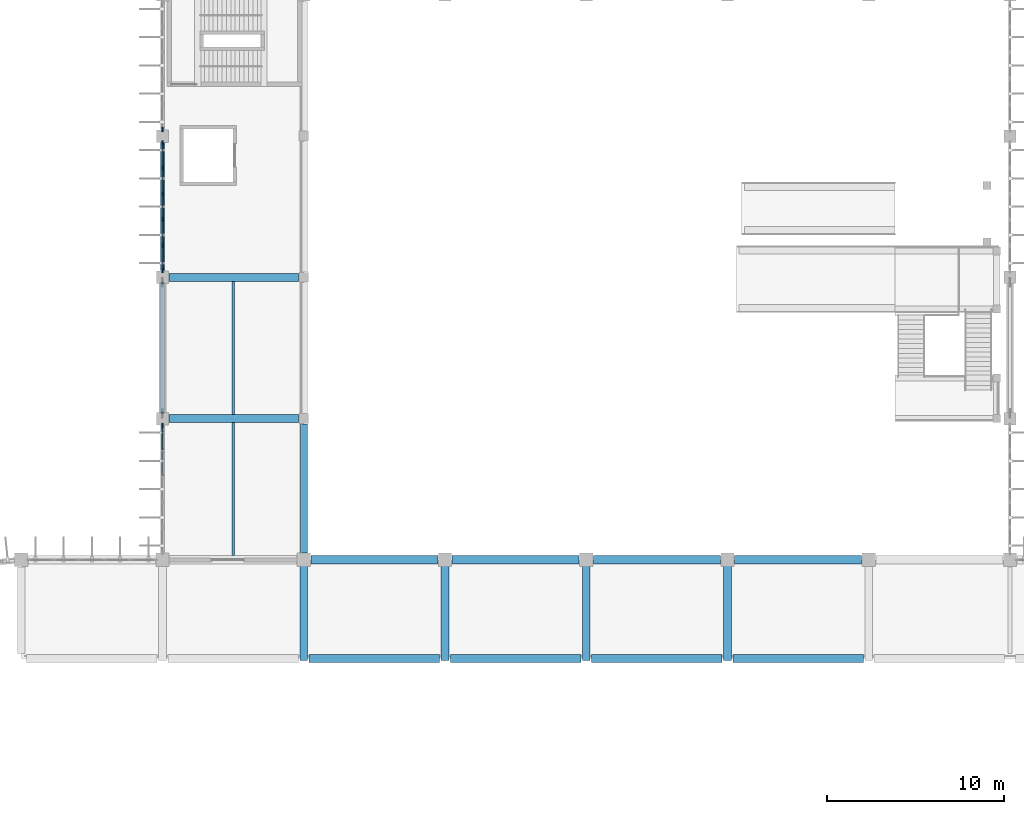
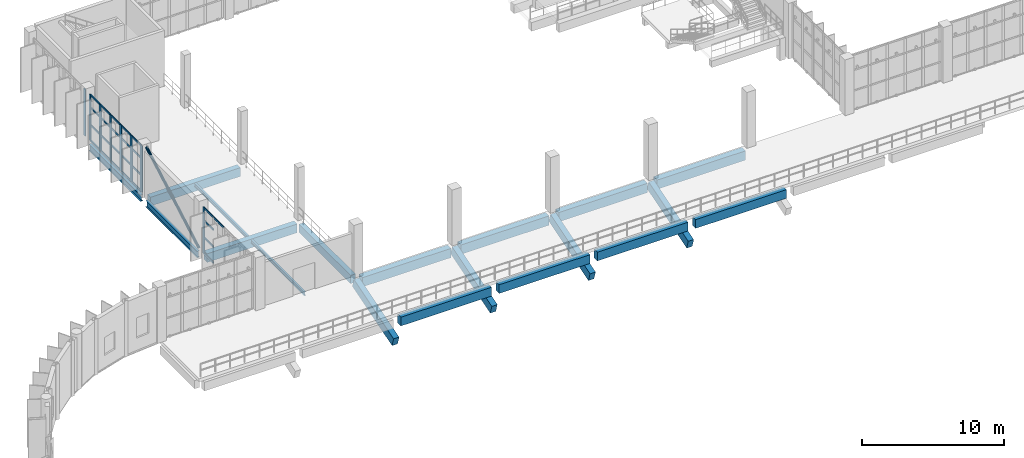
# One storey, part 25 of 93: 34 members, 19 beams, 3 elements without a shape of their own.
"""IFC4 building model written with IfcOpenShell, lengths in metres."""

from ifc_helpers import new_model, si_unit, direction, frame, origin, origin_2d, place, context, subcontext, project, spatial, rectangle, hollow_circle, i_section, extrude, material, layer, layer_set, material_profile, profile_set, type_object, element, aggregate, save


model = new_model("IFC4")

# Units and contexts
model_context = context("Model", 3, precision=1e-05, world=origin(), true_north=direction((0.0, 1.0)))
body_context = subcontext(model_context, "Body", "Model", "MODEL_VIEW")
ifc_project = project(units=[si_unit("LENGTHUNIT", "METRE"), si_unit("AREAUNIT", "SQUARE_METRE"), si_unit("VOLUMEUNIT", "CUBIC_METRE"), si_unit("PLANEANGLEUNIT", "RADIAN"), si_unit("MASSUNIT", "GRAM", prefix="KILO")], contexts=[model_context])

# Site, building, storey
site_placement = place(None, origin())
site = spatial("IfcSite", under=ifc_project, at=site_placement, CompositionType="ELEMENT")
building_placement = place(site_placement, origin())
building = spatial("IfcBuilding", under=site, at=building_placement, Name="Drelvana Railside Aquatics Centre", CompositionType="ELEMENT")
storey_placement = place(building_placement, frame((0.0, 0.0, 5.39990234375)))
storey = spatial("IfcBuildingStorey", under=building, at=storey_placement, Name="L01", CompositionType="ELEMENT", Elevation=5.39990234375)

# Curtain wall, member
ifc_material_1 = material(Name="Bronze-anodised aluminium curtain wall", Category="aluminium")
ifc_layer = layer(ifc_material_1, 0.2099609375, Name="Bronze-anodised aluminium curtain wall")
ifc_layer_set = layer_set([ifc_layer], Name="Bronze-anodised aluminium curtain wall")
curtain_wall_type = type_object("IfcCurtainWallType", Name="CW-Z7-DIVE", PredefinedType="NOTDEFINED", material=ifc_layer_set)
curtain_wall_1_placement = place(storey_placement, origin())
curtain_wall_1 = element("IfcCurtainWall", 1, at=curtain_wall_1_placement, inside=storey, type_object=curtain_wall_type, Name="Curtain wall CW-07-082", PredefinedType="NOTDEFINED")
ifc_material_2 = material(Name="Bronze-anodised aluminium 6063-T6", Category="aluminium")
ifc_material_profile_1 = material_profile(ifc_material_2, rectangle(XDim=0.080078125, YDim=0.25, at=origin_2d()), Name="ALU-M 80x250")
ifc_profile_set_1 = profile_set([ifc_material_profile_1], Name="Bronze-anodised aluminium 6063-T6")
member_type_1 = type_object("IfcMemberType", Name="CW-Z7-DIVE-MUL", PredefinedType="MULLION", material=ifc_profile_set_1)
member_1_placement = place(storey_placement, frame((24.0, 91.615966796875, -0.005859375), z_axis=(0.0, 0.0, 1.0), x_axis=(-1.0, 0.0, 0.0)))
member_1 = element("IfcMember", 2, at=member_1_placement, type_object=member_type_1, Name="CW-07 mullion 6", PredefinedType="MULLION", context=body_context, shape_type="SweptSolid", body=[
    extrude(rectangle(XDim=0.080078125, YDim=0.25, at=origin_2d()), origin(), (0.0, 0.0, 1.0), 3.98583984375),
])

# Curtain wall, members
curtain_wall_2_placement = place(storey_placement, origin())
curtain_wall_2 = element("IfcCurtainWall", 3, at=curtain_wall_2_placement, inside=storey, type_object=curtain_wall_type, Name="Curtain wall CW-07-085", PredefinedType="NOTDEFINED")
member_2_placement = place(storey_placement, frame((24.0, 100.384033203125, -0.005859375), z_axis=(0.0, 0.0, 1.0), x_axis=(-1.0, 0.0, 0.0)))
member_2 = element("IfcMember", 4, at=member_2_placement, type_object=member_type_1, Name="CW-07 mullion 1", PredefinedType="MULLION", context=body_context, shape_type="SweptSolid", body=[
    extrude(rectangle(XDim=0.080078125, YDim=0.25, at=origin_2d()), origin(), (0.0, 0.0, 1.0), 3.98583984375),
])
member_3_placement = place(storey_placement, frame((24.0, 101.806396484375, -0.005859375), z_axis=(0.0, 0.0, 1.0), x_axis=(-1.0, 0.0, 0.0)))
member_3 = element("IfcMember", 5, at=member_3_placement, type_object=member_type_1, Name="CW-07 mullion 2", PredefinedType="MULLION", context=body_context, shape_type="SweptSolid", body=[
    extrude(rectangle(XDim=0.080078125, YDim=0.25, at=origin_2d()), origin(), (0.0, 0.0, 1.0), 3.98583984375),
])
member_4_placement = place(storey_placement, frame((24.0, 103.268798828125, -0.005859375), z_axis=(0.0, 0.0, 1.0), x_axis=(-1.0, 0.0, 0.0)))
member_4 = element("IfcMember", 6, at=member_4_placement, type_object=member_type_1, Name="CW-07 mullion 3", PredefinedType="MULLION", context=body_context, shape_type="SweptSolid", body=[
    extrude(rectangle(XDim=0.080078125, YDim=0.25, at=origin_2d()), origin(), (0.0, 0.0, 1.0), 3.98583984375),
])
member_5_placement = place(storey_placement, frame((24.0, 104.731201171875, -0.005859375), z_axis=(0.0, 0.0, 1.0), x_axis=(-1.0, 0.0, 0.0)))
member_5 = element("IfcMember", 7, at=member_5_placement, type_object=member_type_1, Name="CW-07 mullion 4", PredefinedType="MULLION", context=body_context, shape_type="SweptSolid", body=[
    extrude(rectangle(XDim=0.080078125, YDim=0.25, at=origin_2d()), origin(), (0.0, 0.0, 1.0), 3.98583984375),
])
member_6_placement = place(storey_placement, frame((24.0, 106.193603515625, -0.005859375), z_axis=(0.0, 0.0, 1.0), x_axis=(-1.0, 0.0, 0.0)))
member_6 = element("IfcMember", 8, at=member_6_placement, type_object=member_type_1, Name="CW-07 mullion 5", PredefinedType="MULLION", context=body_context, shape_type="SweptSolid", body=[
    extrude(rectangle(XDim=0.080078125, YDim=0.25, at=origin_2d()), origin(), (0.0, 0.0, 1.0), 3.98583984375),
])
member_7_placement = place(storey_placement, frame((24.0, 107.615966796875, -0.005859375), z_axis=(0.0, 0.0, 1.0), x_axis=(-1.0, 0.0, 0.0)))
member_7 = element("IfcMember", 9, at=member_7_placement, type_object=member_type_1, Name="CW-07 mullion 6", PredefinedType="MULLION", context=body_context, shape_type="SweptSolid", body=[
    extrude(rectangle(XDim=0.080078125, YDim=0.25, at=origin_2d()), origin(), (0.0, 0.0, 1.0), 3.98583984375),
])

# Curtain wall, member
curtain_wall_3_placement = place(storey_placement, origin())
curtain_wall_3 = element("IfcCurtainWall", 10, at=curtain_wall_3_placement, inside=storey, type_object=curtain_wall_type, Name="Curtain wall CW-07-088", PredefinedType="NOTDEFINED")
member_8_placement = place(storey_placement, frame((24.0, 108.384033203125, -0.005859375), z_axis=(0.0, 0.0, 1.0), x_axis=(-1.0, 0.0, 0.0)))
member_8 = element("IfcMember", 11, at=member_8_placement, type_object=member_type_1, Name="CW-07 mullion 1", PredefinedType="MULLION", context=body_context, shape_type="SweptSolid", body=[
    extrude(rectangle(XDim=0.080078125, YDim=0.25, at=origin_2d()), origin(), (0.0, 0.0, 1.0), 3.98583984375),
])
aggregate(curtain_wall_3, [member_8])

# Member
ifc_material_profile_2 = material_profile(ifc_material_2, rectangle(XDim=0.159912109375, YDim=0.070068359375, at=origin_2d()), Name="ALU-T 70x160")
ifc_profile_set_2 = profile_set([ifc_material_profile_2], Name="Bronze-anodised aluminium 6063-T6")
member_type_2 = type_object("IfcMemberType", Name="CW-Z7-DIVE-TRN", PredefinedType="USERDEFINED", material=ifc_profile_set_2)
member_9_placement = place(storey_placement, frame((24.0, 88.776123046875, 3.945068359375), z_axis=(0.0, 1.0, 0.0), x_axis=(0.0, 0.0, 1.0)))
member_9 = element("IfcMember", 12, at=member_9_placement, type_object=member_type_2, Name="CW-07 transom 4.4", ObjectType="TRANSOM", PredefinedType="USERDEFINED", context=body_context, shape_type="SweptSolid", body=[
    extrude(rectangle(XDim=0.159912109375, YDim=0.070068359375, at=origin_2d()), origin(), (0.0, 0.0, 1.0), 1.387451171875),
])

member_10_placement = place(storey_placement, frame((24.0, 90.233642578125, 0.029052734375), z_axis=(0.0, 1.0, 0.0), x_axis=(0.0, 0.0, 1.0)))
member_10 = element("IfcMember", 13, at=member_10_placement, type_object=member_type_2, Name="CW-07 transom 5.1", ObjectType="TRANSOM", PredefinedType="USERDEFINED", context=body_context, shape_type="SweptSolid", body=[
    extrude(rectangle(XDim=0.159912109375, YDim=0.070068359375, at=origin_2d()), origin(), (0.0, 0.0, 1.0), 1.347412109375),
])

member_11_placement = place(storey_placement, frame((24.0, 90.233642578125, 1.38916015625), z_axis=(0.0, 1.0, 0.0), x_axis=(0.0, 0.0, 1.0)))
member_11 = element("IfcMember", 14, at=member_11_placement, type_object=member_type_2, Name="CW-07 transom 5.2", ObjectType="TRANSOM", PredefinedType="USERDEFINED", context=body_context, shape_type="SweptSolid", body=[
    extrude(rectangle(XDim=0.159912109375, YDim=0.070068359375, at=origin_2d()), origin(), (0.0, 0.0, 1.0), 1.347412109375),
])

member_12_placement = place(storey_placement, frame((24.0, 90.233642578125, 2.864013671875), z_axis=(0.0, 1.0, 0.0), x_axis=(0.0, 0.0, 1.0)))
member_12 = element("IfcMember", 15, at=member_12_placement, type_object=member_type_2, Name="CW-07 transom 5.3", ObjectType="TRANSOM", PredefinedType="USERDEFINED", context=body_context, shape_type="SweptSolid", body=[
    extrude(rectangle(XDim=0.159912109375, YDim=0.070068359375, at=origin_2d()), origin(), (0.0, 0.0, 1.0), 1.347412109375),
])

member_13_placement = place(storey_placement, frame((24.0, 90.233642578125, 3.945068359375), z_axis=(0.0, 1.0, 0.0), x_axis=(0.0, 0.0, 1.0)))
member_13 = element("IfcMember", 16, at=member_13_placement, type_object=member_type_2, Name="CW-07 transom 5.4", ObjectType="TRANSOM", PredefinedType="USERDEFINED", context=body_context, shape_type="SweptSolid", body=[
    extrude(rectangle(XDim=0.159912109375, YDim=0.070068359375, at=origin_2d()), origin(), (0.0, 0.0, 1.0), 1.347412109375),
])

aggregate(curtain_wall_1, [member_1, member_9, member_10, member_11, member_12, member_13])

member_14_placement = place(storey_placement, frame((24.0, 100.4189453125, 0.029052734375), z_axis=(0.0, 1.0, 0.0), x_axis=(0.0, 0.0, 1.0)))
member_14 = element("IfcMember", 17, at=member_14_placement, type_object=member_type_2, Name="CW-07 transom 1.1", ObjectType="TRANSOM", PredefinedType="USERDEFINED", context=body_context, shape_type="SweptSolid", body=[
    extrude(rectangle(XDim=0.159912109375, YDim=0.070068359375, at=origin_2d()), origin(), (0.0, 0.0, 1.0), 1.3525390625),
])

member_15_placement = place(storey_placement, frame((24.0, 100.4189453125, 1.38916015625), z_axis=(0.0, 1.0, 0.0), x_axis=(0.0, 0.0, 1.0)))
member_15 = element("IfcMember", 18, at=member_15_placement, type_object=member_type_2, Name="CW-07 transom 1.2", ObjectType="TRANSOM", PredefinedType="USERDEFINED", context=body_context, shape_type="SweptSolid", body=[
    extrude(rectangle(XDim=0.159912109375, YDim=0.070068359375, at=origin_2d()), origin(), (0.0, 0.0, 1.0), 1.3525390625),
])

member_16_placement = place(storey_placement, frame((24.0, 100.4189453125, 2.864013671875), z_axis=(0.0, 1.0, 0.0), x_axis=(0.0, 0.0, 1.0)))
member_16 = element("IfcMember", 19, at=member_16_placement, type_object=member_type_2, Name="CW-07 transom 1.3", ObjectType="TRANSOM", PredefinedType="USERDEFINED", context=body_context, shape_type="SweptSolid", body=[
    extrude(rectangle(XDim=0.159912109375, YDim=0.070068359375, at=origin_2d()), origin(), (0.0, 0.0, 1.0), 1.3525390625),
])

member_17_placement = place(storey_placement, frame((24.0, 100.4189453125, 3.945068359375), z_axis=(0.0, 1.0, 0.0), x_axis=(0.0, 0.0, 1.0)))
member_17 = element("IfcMember", 20, at=member_17_placement, type_object=member_type_2, Name="CW-07 transom 1.4", ObjectType="TRANSOM", PredefinedType="USERDEFINED", context=body_context, shape_type="SweptSolid", body=[
    extrude(rectangle(XDim=0.159912109375, YDim=0.070068359375, at=origin_2d()), origin(), (0.0, 0.0, 1.0), 1.3525390625),
])

member_18_placement = place(storey_placement, frame((24.0, 101.84130859375, 0.029052734375), z_axis=(0.0, 1.0, 0.0), x_axis=(0.0, 0.0, 1.0)))
member_18 = element("IfcMember", 21, at=member_18_placement, type_object=member_type_2, Name="CW-07 transom 2.1", ObjectType="TRANSOM", PredefinedType="USERDEFINED", context=body_context, shape_type="SweptSolid", body=[
    extrude(rectangle(XDim=0.159912109375, YDim=0.070068359375, at=origin_2d()), origin(), (0.0, 0.0, 1.0), 1.392578125),
])

member_19_placement = place(storey_placement, frame((24.0, 101.84130859375, 1.38916015625), z_axis=(0.0, 1.0, 0.0), x_axis=(0.0, 0.0, 1.0)))
member_19 = element("IfcMember", 22, at=member_19_placement, type_object=member_type_2, Name="CW-07 transom 2.2", ObjectType="TRANSOM", PredefinedType="USERDEFINED", context=body_context, shape_type="SweptSolid", body=[
    extrude(rectangle(XDim=0.159912109375, YDim=0.070068359375, at=origin_2d()), origin(), (0.0, 0.0, 1.0), 1.392578125),
])

member_20_placement = place(storey_placement, frame((24.0, 101.84130859375, 2.864013671875), z_axis=(0.0, 1.0, 0.0), x_axis=(0.0, 0.0, 1.0)))
member_20 = element("IfcMember", 23, at=member_20_placement, type_object=member_type_2, Name="CW-07 transom 2.3", ObjectType="TRANSOM", PredefinedType="USERDEFINED", context=body_context, shape_type="SweptSolid", body=[
    extrude(rectangle(XDim=0.159912109375, YDim=0.070068359375, at=origin_2d()), origin(), (0.0, 0.0, 1.0), 1.392578125),
])

member_21_placement = place(storey_placement, frame((24.0, 101.84130859375, 3.945068359375), z_axis=(0.0, 1.0, 0.0), x_axis=(0.0, 0.0, 1.0)))
member_21 = element("IfcMember", 24, at=member_21_placement, type_object=member_type_2, Name="CW-07 transom 2.4", ObjectType="TRANSOM", PredefinedType="USERDEFINED", context=body_context, shape_type="SweptSolid", body=[
    extrude(rectangle(XDim=0.159912109375, YDim=0.070068359375, at=origin_2d()), origin(), (0.0, 0.0, 1.0), 1.392578125),
])

member_22_placement = place(storey_placement, frame((24.0, 103.3037109375, 0.029052734375), z_axis=(0.0, 1.0, 0.0), x_axis=(0.0, 0.0, 1.0)))
member_22 = element("IfcMember", 25, at=member_22_placement, type_object=member_type_2, Name="CW-07 transom 3.1", ObjectType="TRANSOM", PredefinedType="USERDEFINED", context=body_context, shape_type="SweptSolid", body=[
    extrude(rectangle(XDim=0.159912109375, YDim=0.070068359375, at=origin_2d()), origin(), (0.0, 0.0, 1.0), 1.392578125),
])

member_23_placement = place(storey_placement, frame((24.0, 103.3037109375, 1.38916015625), z_axis=(0.0, 1.0, 0.0), x_axis=(0.0, 0.0, 1.0)))
member_23 = element("IfcMember", 26, at=member_23_placement, type_object=member_type_2, Name="CW-07 transom 3.2", ObjectType="TRANSOM", PredefinedType="USERDEFINED", context=body_context, shape_type="SweptSolid", body=[
    extrude(rectangle(XDim=0.159912109375, YDim=0.070068359375, at=origin_2d()), origin(), (0.0, 0.0, 1.0), 1.392578125),
])

member_24_placement = place(storey_placement, frame((24.0, 103.3037109375, 2.864013671875), z_axis=(0.0, 1.0, 0.0), x_axis=(0.0, 0.0, 1.0)))
member_24 = element("IfcMember", 27, at=member_24_placement, type_object=member_type_2, Name="CW-07 transom 3.3", ObjectType="TRANSOM", PredefinedType="USERDEFINED", context=body_context, shape_type="SweptSolid", body=[
    extrude(rectangle(XDim=0.159912109375, YDim=0.070068359375, at=origin_2d()), origin(), (0.0, 0.0, 1.0), 1.392578125),
])

member_25_placement = place(storey_placement, frame((24.0, 103.3037109375, 3.945068359375), z_axis=(0.0, 1.0, 0.0), x_axis=(0.0, 0.0, 1.0)))
member_25 = element("IfcMember", 28, at=member_25_placement, type_object=member_type_2, Name="CW-07 transom 3.4", ObjectType="TRANSOM", PredefinedType="USERDEFINED", context=body_context, shape_type="SweptSolid", body=[
    extrude(rectangle(XDim=0.159912109375, YDim=0.070068359375, at=origin_2d()), origin(), (0.0, 0.0, 1.0), 1.392578125),
])

member_26_placement = place(storey_placement, frame((24.0, 104.76611328125, 0.029052734375), z_axis=(0.0, 1.0, 0.0), x_axis=(0.0, 0.0, 1.0)))
member_26 = element("IfcMember", 29, at=member_26_placement, type_object=member_type_2, Name="CW-07 transom 4.1", ObjectType="TRANSOM", PredefinedType="USERDEFINED", context=body_context, shape_type="SweptSolid", body=[
    extrude(rectangle(XDim=0.159912109375, YDim=0.070068359375, at=origin_2d()), origin(), (0.0, 0.0, 1.0), 1.392578125),
])

member_27_placement = place(storey_placement, frame((24.0, 104.76611328125, 1.38916015625), z_axis=(0.0, 1.0, 0.0), x_axis=(0.0, 0.0, 1.0)))
member_27 = element("IfcMember", 30, at=member_27_placement, type_object=member_type_2, Name="CW-07 transom 4.2", ObjectType="TRANSOM", PredefinedType="USERDEFINED", context=body_context, shape_type="SweptSolid", body=[
    extrude(rectangle(XDim=0.159912109375, YDim=0.070068359375, at=origin_2d()), origin(), (0.0, 0.0, 1.0), 1.392578125),
])

member_28_placement = place(storey_placement, frame((24.0, 104.76611328125, 2.864013671875), z_axis=(0.0, 1.0, 0.0), x_axis=(0.0, 0.0, 1.0)))
member_28 = element("IfcMember", 31, at=member_28_placement, type_object=member_type_2, Name="CW-07 transom 4.3", ObjectType="TRANSOM", PredefinedType="USERDEFINED", context=body_context, shape_type="SweptSolid", body=[
    extrude(rectangle(XDim=0.159912109375, YDim=0.070068359375, at=origin_2d()), origin(), (0.0, 0.0, 1.0), 1.392578125),
])

member_29_placement = place(storey_placement, frame((24.0, 104.76611328125, 3.945068359375), z_axis=(0.0, 1.0, 0.0), x_axis=(0.0, 0.0, 1.0)))
member_29 = element("IfcMember", 32, at=member_29_placement, type_object=member_type_2, Name="CW-07 transom 4.4", ObjectType="TRANSOM", PredefinedType="USERDEFINED", context=body_context, shape_type="SweptSolid", body=[
    extrude(rectangle(XDim=0.159912109375, YDim=0.070068359375, at=origin_2d()), origin(), (0.0, 0.0, 1.0), 1.392578125),
])

member_30_placement = place(storey_placement, frame((24.0, 106.228515625, 0.029052734375), z_axis=(0.0, 1.0, 0.0), x_axis=(0.0, 0.0, 1.0)))
member_30 = element("IfcMember", 33, at=member_30_placement, type_object=member_type_2, Name="CW-07 transom 5.1", ObjectType="TRANSOM", PredefinedType="USERDEFINED", context=body_context, shape_type="SweptSolid", body=[
    extrude(rectangle(XDim=0.159912109375, YDim=0.070068359375, at=origin_2d()), origin(), (0.0, 0.0, 1.0), 1.3525390625),
])

member_31_placement = place(storey_placement, frame((24.0, 106.228515625, 1.38916015625), z_axis=(0.0, 1.0, 0.0), x_axis=(0.0, 0.0, 1.0)))
member_31 = element("IfcMember", 34, at=member_31_placement, type_object=member_type_2, Name="CW-07 transom 5.2", ObjectType="TRANSOM", PredefinedType="USERDEFINED", context=body_context, shape_type="SweptSolid", body=[
    extrude(rectangle(XDim=0.159912109375, YDim=0.070068359375, at=origin_2d()), origin(), (0.0, 0.0, 1.0), 1.3525390625),
])

member_32_placement = place(storey_placement, frame((24.0, 106.228515625, 2.864013671875), z_axis=(0.0, 1.0, 0.0), x_axis=(0.0, 0.0, 1.0)))
member_32 = element("IfcMember", 35, at=member_32_placement, type_object=member_type_2, Name="CW-07 transom 5.3", ObjectType="TRANSOM", PredefinedType="USERDEFINED", context=body_context, shape_type="SweptSolid", body=[
    extrude(rectangle(XDim=0.159912109375, YDim=0.070068359375, at=origin_2d()), origin(), (0.0, 0.0, 1.0), 1.3525390625),
])

member_33_placement = place(storey_placement, frame((24.0, 106.228515625, 3.945068359375), z_axis=(0.0, 1.0, 0.0), x_axis=(0.0, 0.0, 1.0)))
member_33 = element("IfcMember", 36, at=member_33_placement, type_object=member_type_2, Name="CW-07 transom 5.4", ObjectType="TRANSOM", PredefinedType="USERDEFINED", context=body_context, shape_type="SweptSolid", body=[
    extrude(rectangle(XDim=0.159912109375, YDim=0.070068359375, at=origin_2d()), origin(), (0.0, 0.0, 1.0), 1.3525390625),
])

aggregate(curtain_wall_2, [member_2, member_3, member_4, member_5, member_6, member_7, member_14, member_15, member_16, member_17, member_18, member_19, member_20, member_21, member_22, member_23, member_24, member_25, member_26, member_27, member_28, member_29, member_30, member_31, member_32, member_33])

# Beams
ifc_material_3 = material(Name="Concrete C40/50", Category="concrete")
ifc_material_profile_3 = material_profile(ifc_material_3, rectangle(XDim=0.39990234375, YDim=0.699951171875, at=origin_2d()), Name="RC 400x700")
ifc_profile_set_3 = profile_set([ifc_material_profile_3], Name="Concrete C40/50")
beam_type_1 = type_object("IfcBeamType", Name="STR-BM-BM-03-RC-400x700", PredefinedType="BEAM", material=ifc_profile_set_3)
beam_1_placement = place(storey_placement, frame((32.0, 84.39990234375, -0.625), z_axis=(0.0, 1.0, 0.0), x_axis=(-1.0, 0.0, 0.0)))
element("IfcBeam", 37, at=beam_1_placement, inside=storey, type_object=beam_type_1, Name="Girder BM-03 (L01)", PredefinedType="BEAM", context=body_context, shape_type="SweptSolid", body=[
    extrude(rectangle(XDim=0.39990234375, YDim=0.699951171875, at=origin_2d()), origin(), (0.0, 0.0, 1.0), 7.300048828125),
])
ifc_material_profile_4 = material_profile(ifc_material_3, rectangle(XDim=0.449951171875, YDim=0.75, at=origin_2d()), Name="RC 450x750")
ifc_profile_set_4 = profile_set([ifc_material_profile_4], Name="Concrete C40/50")
beam_type_2 = type_object("IfcBeamType", Name="STR-BM-BM-04-RC-450x750", PredefinedType="BEAM", material=ifc_profile_set_4)
for number, where, z_axis, x_axis, name in (
    (38, (32.300048828125, 78.39990234375, -0.64990234375), (1.0, 0.0, 0.0), (0.0, 1.0, 0.0), "Girder BM-04 (L01)"),
    (39, (40.300048828125, 78.39990234375, -0.64990234375), (1.0, 0.0, 0.0), (0.0, 1.0, 0.0), "Girder BM-04 (L01)"),
    (40, (48.300048828125, 78.39990234375, -0.64990234375), (1.0, 0.0, 0.0), (0.0, 1.0, 0.0), "Girder BM-04 (L01)"),
    (41, (56.300048828125, 78.39990234375, -0.64990234375), (1.0, 0.0, 0.0), (0.0, 1.0, 0.0), "Girder BM-04 (L01)"),
):
    element("IfcBeam", number, at=place(storey_placement, frame(where, z_axis=z_axis, x_axis=x_axis)), inside=storey, type_object=beam_type_2, Name=name, PredefinedType="BEAM", context=body_context, shape_type="SweptSolid", body=[
        extrude(rectangle(XDim=0.449951171875, YDim=0.75, at=origin_2d()), origin(), (0.0, 0.0, 1.0), 7.39990234375),
    ])
for number, where, z_axis, x_axis, name in (
    (42, (24.375, 92.0, -0.64990234375), (1.0, 0.0, 0.0), (0.0, 1.0, 0.0), "Girder BM-04 (L01)"),
    (43, (24.375, 100.0, -0.64990234375), (1.0, 0.0, 0.0), (0.0, 1.0, 0.0), "Girder BM-04 (L01)"),
):
    element("IfcBeam", number, at=place(storey_placement, frame(where, z_axis=z_axis, x_axis=x_axis)), inside=storey, type_object=beam_type_2, Name=name, PredefinedType="BEAM", context=body_context, shape_type="SweptSolid", body=[
        extrude(rectangle(XDim=0.449951171875, YDim=0.75, at=origin_2d()), origin(), (0.0, 0.0, 1.0), 7.324951171875),
    ])
ifc_material_profile_5 = material_profile(ifc_material_3, rectangle(XDim=0.5, YDim=0.800048828125, at=origin_2d()), Name="RC 500x800")
ifc_profile_set_5 = profile_set([ifc_material_profile_5], Name="Concrete C40/50")
beam_type_3 = type_object("IfcBeamType", Name="STR-BM-BM-06-RC-500x800", PredefinedType="SPANDREL", material=ifc_profile_set_5)
for number, where, z_axis, x_axis, name in (
    (44, (32.39990234375, 84.0, -0.6748046875), (1.0, 0.0, 0.0), (0.0, 1.0, 0.0), "Girder BM-06 (L01)"),
    (45, (40.39990234375, 84.0, -0.6748046875), (1.0, 0.0, 0.0), (0.0, 1.0, 0.0), "Girder BM-06 (L01)"),
    (46, (48.39990234375, 84.0, -0.6748046875), (1.0, 0.0, 0.0), (0.0, 1.0, 0.0), "Girder BM-06 (L01)"),
    (47, (56.39990234375, 84.0, -0.6748046875), (1.0, 0.0, 0.0), (0.0, 1.0, 0.0), "Girder BM-06 (L01)"),
):
    element("IfcBeam", number, at=place(storey_placement, frame(where, z_axis=z_axis, x_axis=x_axis)), inside=storey, type_object=beam_type_3, Name=name, PredefinedType="SPANDREL", context=body_context, shape_type="SweptSolid", body=[
        extrude(rectangle(XDim=0.5, YDim=0.800048828125, at=origin_2d()), origin(), (0.0, 0.0, 1.0), 7.2001953125),
    ])
ifc_material_profile_6 = material_profile(ifc_material_3, rectangle(XDim=0.449951171875, YDim=0.75, at=origin_2d()), Name="RC 450x750")
ifc_profile_set_6 = profile_set([ifc_material_profile_6], Name="Concrete C40/50")
beam_type_4 = type_object("IfcBeamType", Name="STR-BM-RK-02-RC-450x750", PredefinedType="USERDEFINED", material=ifc_profile_set_6)
for number, where, z_axis, x_axis, name in (
    (48, (32.0, 78.39990234375, -2.3798828125), (0.0, 0.955448782537, 0.295156947993), (-1.0, 0.0, 0.0), "Lower stand raker beam RK-02 N-X32"),
    (49, (40.0, 78.39990234375, -2.3798828125), (0.0, 0.955448782537, 0.295156947993), (-1.0, 0.0, 0.0), "Lower stand raker beam RK-02 N-X40"),
    (50, (48.0, 78.39990234375, -2.3798828125), (0.0, 0.955448782537, 0.295156947993), (-1.0, 0.0, 0.0), "Lower stand raker beam RK-02 N-X48"),
    (51, (56.0, 78.39990234375, -2.3798828125), (0.0, 0.955448782537, 0.295156947993), (-1.0, 0.0, 0.0), "Lower stand raker beam RK-02 N-X56"),
):
    element("IfcBeam", number, at=place(storey_placement, frame(where, z_axis=z_axis, x_axis=x_axis)), inside=storey, type_object=beam_type_4, Name=name, ObjectType="RAKER", PredefinedType="USERDEFINED", context=body_context, shape_type="SweptSolid", body=[
        extrude(rectangle(XDim=0.449951171875, YDim=0.75, at=origin_2d()), origin(), (0.0, 0.0, 1.0), 5.861328125),
    ])

# Member
ifc_material_4 = material(Name="Structural steel S355", Category="steel")
ifc_material_profile_7 = material_profile(ifc_material_4, hollow_circle(Radius=0.109619140625, WallThickness=0.010009765625, at=origin_2d()), Name="CHS 219.1x10")
ifc_profile_set_7 = profile_set([ifc_material_profile_7], Name="Structural steel S355")
member_type_3 = type_object("IfcMemberType", Name="STR-MBR-BR-02", PredefinedType="BRACE", material=ifc_profile_set_7)
member_34_placement = place(storey_placement, frame((24.0, 92.300048828125, 0.050048828125), z_axis=(0.0, 0.869685582334, 0.493606106001), x_axis=(-1.0, 0.0, 0.0)))
element("IfcMember", 52, at=member_34_placement, inside=storey, type_object=member_type_3, Name="Lateral frame brace BR-04 (L01)", PredefinedType="BRACE", context=body_context, shape_type="SweptSolid", body=[
    extrude(hollow_circle(Radius=0.109619140625, WallThickness=0.010009765625, at=origin_2d()), origin(), (0.0, 0.0, 1.0), 8.5087890625),
])

# Beams
ifc_material_profile_8 = material_profile(ifc_material_4, i_section(OverallWidth=0.2099609375, OverallDepth=0.550048828125, WebThickness=0.010986328125, FlangeThickness=0.01708984375, at=origin_2d()), Name="IPE 550")
ifc_profile_set_8 = profile_set([ifc_material_profile_8], Name="Structural steel S355")
beam_type_5 = type_object("IfcBeamType", Name="STR-SBM-SB-04-IPE-550", PredefinedType="SPANDREL", material=ifc_profile_set_8)
for number, where, z_axis, x_axis, name in (
    (53, (24.0, 92.375, -0.5498046875), (0.0, 1.0, 0.0), (-1.0, 0.0, 0.0), "Girder SB-04 (L01)"),
    (54, (24.0, 100.375, -0.5498046875), (0.0, 1.0, 0.0), (-1.0, 0.0, 0.0), "Girder SB-04 (L01)"),
):
    element("IfcBeam", number, at=place(storey_placement, frame(where, z_axis=z_axis, x_axis=x_axis)), inside=storey, type_object=beam_type_5, Name=name, PredefinedType="SPANDREL", context=body_context, shape_type="SweptSolid", body=[
        extrude(i_section(OverallWidth=0.2099609375, OverallDepth=0.550048828125, WebThickness=0.010986328125, FlangeThickness=0.01708984375, at=origin_2d()), origin(), (0.0, 0.0, 1.0), 7.25),
    ])
ifc_material_profile_9 = material_profile(ifc_material_4, i_section(OverallWidth=0.14990234375, OverallDepth=0.300048828125, WebThickness=0.007080078125, FlangeThickness=0.0107421875, at=origin_2d()), Name="IPE 300")
ifc_profile_set_9 = profile_set([ifc_material_profile_9], Name="Structural steel S355")
beam_type_6 = type_object("IfcBeamType", Name="STR-SBM-SJ-03-IPE-300", PredefinedType="JOIST", material=ifc_profile_set_9)
beam_2_placement = place(storey_placement, frame((28.0, 84.25, -0.4248046875), z_axis=(0.0, 1.0, 0.0), x_axis=(-1.0, 0.0, 0.0)))
element("IfcBeam", 55, at=beam_2_placement, inside=storey, type_object=beam_type_6, Name="Secondary floor joist SJ-03 (L01)", PredefinedType="JOIST", context=body_context, shape_type="SweptSolid", body=[
    extrude(i_section(OverallWidth=0.14990234375, OverallDepth=0.300048828125, WebThickness=0.007080078125, FlangeThickness=0.0107421875, at=origin_2d()), origin(), (0.0, 0.0, 1.0), 7.52490234375),
])
beam_3_placement = place(storey_placement, frame((28.0, 92.22509765625, -0.4248046875), z_axis=(0.0, 1.0, 0.0), x_axis=(-1.0, 0.0, 0.0)))
element("IfcBeam", 56, at=beam_3_placement, inside=storey, type_object=beam_type_6, Name="Secondary floor joist SJ-03 (L01)", PredefinedType="JOIST", context=body_context, shape_type="SweptSolid", body=[
    extrude(i_section(OverallWidth=0.14990234375, OverallDepth=0.300048828125, WebThickness=0.007080078125, FlangeThickness=0.0107421875, at=origin_2d()), origin(), (0.0, 0.0, 1.0), 7.5498046875),
])

save(model, "model.ifc")
